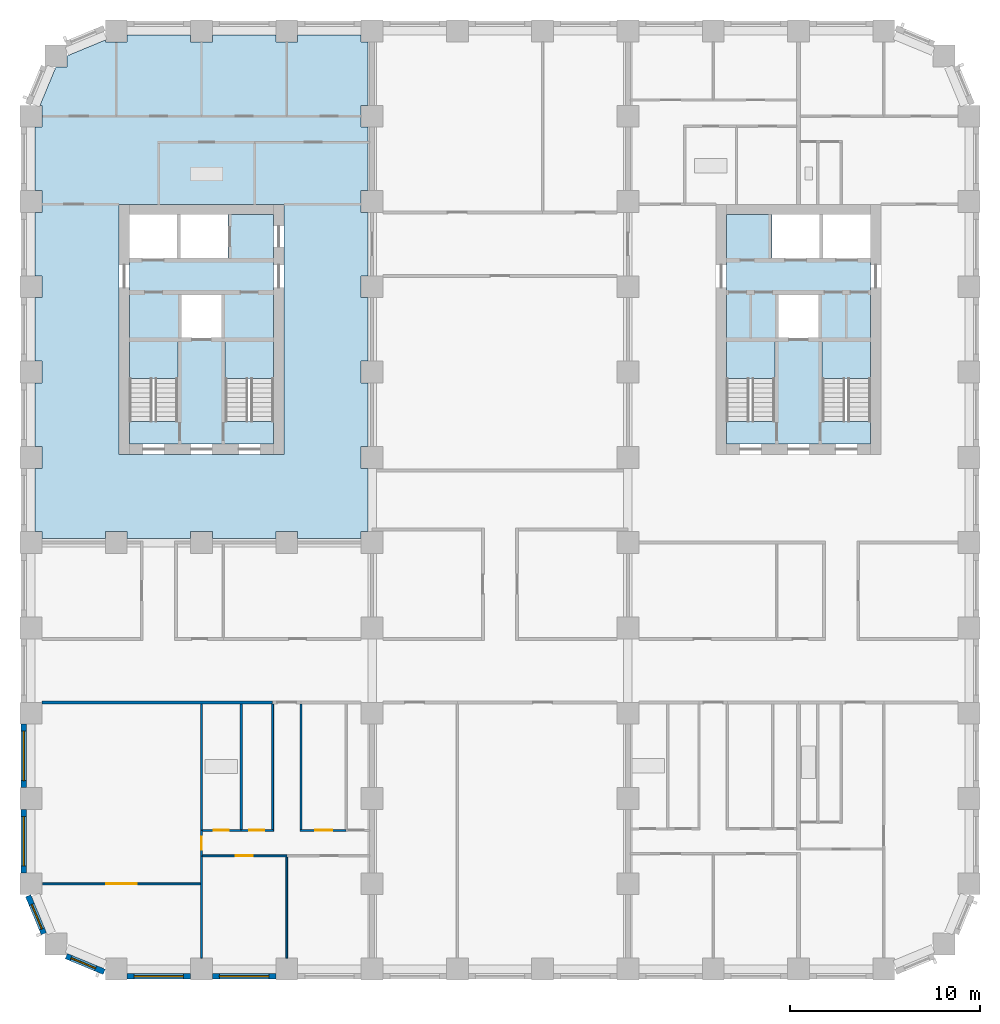
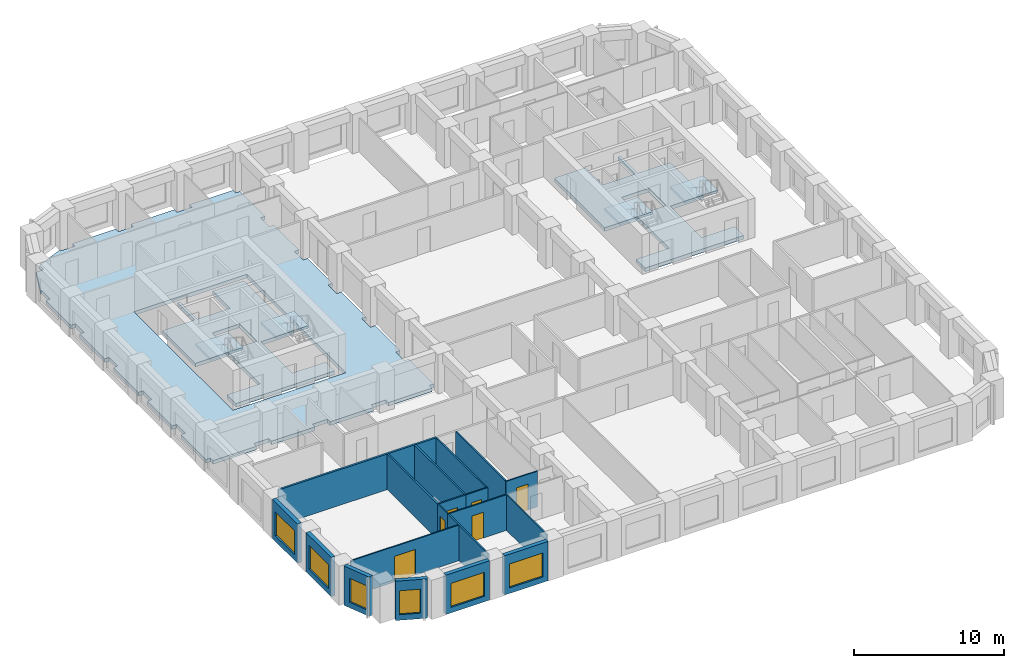
# One storey, part 2 of 12: 19 walls, 7 slabs, 6 doors, 6 windows, 12 openings, 4 elements without a shape of their own.
"""IFC4 building model written with IfcOpenShell, lengths in metres."""

import ifcopenshell
import ifcopenshell.guid

model = None  # the IFC model being written
_history = None  # IfcOwnerHistory: only IFC2X3 demands one
_inside = {}  # id of a spatial element -> (the spatial element, [elements in it])
_under = {}  # id of a project, library or spatial element -> (it, [spatial elements below it])
_declared = {}  # id of a project -> (the project, [libraries it declares])
_typed = {}  # id of a type object -> (the type object, [elements of that type])
_made_of = {}  # id of a material, layer set ... -> (it, [elements and type objects made of it])


def new_model(schema):
    """Start an empty IFC model of exactly this schema.

    Asked for "IFC4X3", IfcOpenShell would pick the latest addendum, in which some entities
    have other attributes; the version numbers below select the first issue.
    IFC2X3 requires an IfcOwnerHistory on every rooted entity: one is made here for all.
    """
    global model, _history
    if schema == "IFC4X3":
        model = ifcopenshell.file(schema_version=(4, 3, 0, 0))
    else:
        model = ifcopenshell.file(schema=schema)
    _inside.clear()
    _under.clear()
    _declared.clear()
    _typed.clear()
    _made_of.clear()
    _history = None
    if model.schema == "IFC2X3":
        org = make("IfcOrganization", Name="unknown")
        user = make(
            "IfcPersonAndOrganization",
            ThePerson=make("IfcPerson", FamilyName="unknown"),
            TheOrganization=org,
        )
        app = make(
            "IfcApplication",
            ApplicationDeveloper=org,
            Version="unknown",
            ApplicationFullName="unknown",
            ApplicationIdentifier="unknown",
        )
        _history = make(
            "IfcOwnerHistory",
            OwningUser=user,
            OwningApplication=app,
            ChangeAction="ADDED",
            CreationDate=0,
        )
    return model


def make(cls, **values):
    """One entity of the class cls with the attributes given. An attribute that is None is left unset."""
    return model.create_entity(
        cls, **{name: value for name, value in values.items() if value is not None}
    )


def rooted(cls, **values):
    """An entity with a GlobalId (a new one), such as an element, a storey or a relation."""
    return make(cls, GlobalId=ifcopenshell.guid.new(), OwnerHistory=_history, **values)


def si_unit(unit_type, name, prefix=None):
    """IfcSIUnit, for example si_unit("LENGTHUNIT", "METRE", prefix="MILLI")."""
    return make("IfcSIUnit", UnitType=unit_type, Prefix=prefix, Name=name)


def assignment(units):
    """IfcUnitAssignment: the units of a project."""
    return None if units is None else make("IfcUnitAssignment", Units=units)


def point(xyz):
    """IfcCartesianPoint."""
    return None if xyz is None else make("IfcCartesianPoint", Coordinates=xyz)


def direction(xyz):
    """IfcDirection."""
    return None if xyz is None else make("IfcDirection", DirectionRatios=xyz)


def frame(location, z_axis=None, x_axis=None):
    """IfcAxis2Placement3D, a coordinate frame: its origin and axes. An axis left out is left unset."""
    return make(
        "IfcAxis2Placement3D",
        Location=point(location),
        Axis=direction(z_axis),
        RefDirection=direction(x_axis),
    )


def frame_2d(location, x_axis=None):
    """IfcAxis2Placement2D, a coordinate frame in the plane: its origin and x axis."""
    return make(
        "IfcAxis2Placement2D", Location=point(location), RefDirection=direction(x_axis)
    )


def origin():
    """The frame at (0, 0, 0) with its axes left unset."""
    return frame((0.0, 0.0, 0.0))


def place(relative_to, where):
    """IfcLocalPlacement: puts the frame where relative to a parent placement (None: the world)."""
    return make(
        "IfcLocalPlacement", PlacementRelTo=relative_to, RelativePlacement=where
    )


def context(
    kind, dimensions, precision=None, world=None, true_north=None, identifier=None
):
    """IfcGeometricRepresentationContext, for example the 3D "Model" context."""
    return make(
        "IfcGeometricRepresentationContext",
        ContextIdentifier=identifier,
        ContextType=kind,
        CoordinateSpaceDimension=dimensions,
        Precision=precision,
        WorldCoordinateSystem=world,
        TrueNorth=true_north,
    )


def subcontext(parent, identifier, kind, view, scale=None):
    """IfcGeometricRepresentationSubContext, for example "Body" below "Model"."""
    return make(
        "IfcGeometricRepresentationSubContext",
        ContextIdentifier=identifier,
        ContextType=kind,
        ParentContext=parent,
        TargetScale=scale,
        TargetView=view,
    )


def project(units=None, contexts=None):
    """IfcProject with its units and contexts."""
    return rooted(
        "IfcProject",
        Name="project",
        RepresentationContexts=contexts,
        UnitsInContext=assignment(units),
    )


def spatial(cls, under=None, at=None, **own):
    """A site, building, storey or space (cls), placed at a placement, below another one or the project."""
    s = rooted(cls, ObjectPlacement=at, **own)
    if under is not None:
        _under.setdefault(under.id(), (under, []))[1].append(s)
    return s


def polyline(points):
    """IfcPolyline through the points."""
    return make("IfcPolyline", Points=[point(p) for p in points])


def profile(cls, at=None, kind="AREA", **sizes):
    """A parametric profile (cls). Its sizes go by their IFC names, for example OverallWidth=200.0."""
    return make(cls, ProfileType=kind, Position=at, **sizes)


def rectangle(**sizes):
    """IfcRectangleProfileDef."""
    return profile("IfcRectangleProfileDef", **sizes)


def outline(outer, holes=None, kind="AREA"):
    """IfcArbitraryClosedProfileDef: a profile drawn as a closed curve; with holes, ...WithVoids."""
    if holes is None:
        return make("IfcArbitraryClosedProfileDef", ProfileType=kind, OuterCurve=outer)
    return make(
        "IfcArbitraryProfileDefWithVoids",
        ProfileType=kind,
        OuterCurve=outer,
        InnerCurves=holes,
    )


def extrude(swept, where, along, depth):
    """IfcExtrudedAreaSolid: the profile swept, set in the frame where, extruded along a direction by depth."""
    return make(
        "IfcExtrudedAreaSolid",
        SweptArea=swept,
        Position=where,
        ExtrudedDirection=direction(along),
        Depth=depth,
    )


def shape(context_of_items, identifier, shape_type, items):
    """IfcShapeRepresentation: the items that make up one representation, for example the "Body"."""
    return make(
        "IfcShapeRepresentation",
        ContextOfItems=context_of_items,
        RepresentationIdentifier=identifier,
        RepresentationType=shape_type,
        Items=items,
    )


def material(Name=None, Category=None):
    """IfcMaterial."""
    return make("IfcMaterial", Name=Name, Category=Category)


def layer(
    of_material, thickness, ventilated=None, Name=None, Category=None, Priority=None
):
    """IfcMaterialLayer: one layer of a wall or slab, of a material (None: an air gap)."""
    return make(
        "IfcMaterialLayer",
        Material=of_material,
        LayerThickness=thickness,
        IsVentilated=ventilated,
        Name=Name,
        Category=Category,
        Priority=Priority,
    )


def layer_set(layers, Name=None):
    """IfcMaterialLayerSet."""
    return make("IfcMaterialLayerSet", MaterialLayers=layers, LayerSetName=Name)


def made_of(thing, what):
    """Note that an element or type object is made of a material, layer set ...; save() writes the relation."""
    if what is not None:
        _made_of.setdefault(what.id(), (what, []))[1].append(thing)
    return thing


def type_object(cls, material=None, **own):
    """A type object (cls), such as IfcWallType, which elements share."""
    return made_of(rooted(cls, **own), material)


def element(
    cls,
    number,
    at=None,
    inside=None,
    cuts=None,
    type_object=None,
    material=None,
    context=None,
    identifier="Body",
    shape_type=None,
    held_by="IfcProductDefinitionShape",
    body=None,
    shapes=None,
    **own,
):
    """One element of the class cls, such as IfcWall. Its Tag is "e" and its number.

    at: its placement. inside: the storey or other place that contains it. cuts: it is an
    opening in that element (IfcRelVoidsElement). A single representation is given by context,
    identifier, shape_type and body (its items); several are given by shapes. held_by: the class
    of the entity that holds the representations. save() writes the other relations.
    """
    e = rooted(cls, Tag="e%d" % number, ObjectPlacement=at, **own)
    if body is not None:
        shapes = [shape(context, identifier, shape_type, body)]
    if shapes is not None:
        e.Representation = make(held_by, Representations=shapes)
    if inside is not None:
        _inside.setdefault(inside.id(), (inside, []))[1].append(e)
    if cuts is not None:
        rooted(
            "IfcRelVoidsElement", RelatingBuildingElement=cuts, RelatedOpeningElement=e
        )
    if type_object is not None:
        _typed.setdefault(type_object.id(), (type_object, []))[1].append(e)
    return made_of(e, material)


def fill(opening, filler):
    """IfcRelFillsElement: the door or window that sits in an opening."""
    return rooted(
        "IfcRelFillsElement",
        RelatingOpeningElement=opening,
        RelatedBuildingElement=filler,
    )


def aggregate(whole, parts):
    """IfcRelAggregates: a whole, such as a stair, and the parts it consists of."""
    return rooted("IfcRelAggregates", RelatingObject=whole, RelatedObjects=parts)


def save(model, path):
    """Write the relations noted so far, then the file.

    IfcRelAggregates (storeys below a building ...), IfcRelContainedInSpatialStructure (elements
    in a storey), IfcRelDefinesByType, IfcRelAssociatesMaterial and IfcRelDeclares: one each for
    every whole, place, type object, material and project.
    """
    for whole, parts in _under.values():
        aggregate(whole, parts)
    for where, things in _inside.values():
        rooted(
            "IfcRelContainedInSpatialStructure",
            RelatedElements=things,
            RelatingStructure=where,
        )
    for kind, things in _typed.values():
        rooted("IfcRelDefinesByType", RelatedObjects=things, RelatingType=kind)
    for what, things in _made_of.values():
        rooted("IfcRelAssociatesMaterial", RelatedObjects=things, RelatingMaterial=what)
    for by, libraries in _declared.values():
        rooted("IfcRelDeclares", RelatingContext=by, RelatedDefinitions=libraries)
    model.write(path)


model = new_model("IFC4")

# Units and contexts
model_context = context("Model", 3, precision=1e-05, world=origin(), true_north=direction((0.0, 1.0)))
body_context = subcontext(model_context, "Body", "Model", "MODEL_VIEW")
ifc_project = project(units=[si_unit("LENGTHUNIT", "METRE"), si_unit("AREAUNIT", "SQUARE_METRE"), si_unit("VOLUMEUNIT", "CUBIC_METRE"), si_unit("PLANEANGLEUNIT", "RADIAN"), si_unit("MASSUNIT", "GRAM", prefix="KILO")], contexts=[model_context])

# Site, building, storey
site_placement = place(None, origin())
site = spatial("IfcSite", under=ifc_project, at=site_placement, CompositionType="ELEMENT")
building_placement = place(site_placement, origin())
building = spatial("IfcBuilding", under=site, at=building_placement, Name="Girih Gate Residences", CompositionType="ELEMENT")
storey_placement = place(building_placement, frame((0.0, 0.0, 115.199951171875)))
storey = spatial("IfcBuildingStorey", under=building, at=storey_placement, Name="L32", CompositionType="ELEMENT", Elevation=115.199951171875)

# Slabs
ifc_material_1 = material(Name="Concrete C40/50", Category="concrete")
ifc_layer_1 = layer(ifc_material_1, 0.300048828125)
ifc_layer_set_1 = layer_set([ifc_layer_1], Name="Core floor slab 300")
slab_type_1 = type_object("IfcSlabType", Name="Core floor slab 300", PredefinedType="FLOOR", material=ifc_layer_set_1)
slab_1_placement = place(storey_placement, frame((0.0, 0.0, -0.300048828125)))
element("IfcSlab", 1, at=slab_1_placement, inside=storey, type_object=slab_type_1, Name="L32 W core floor", PredefinedType="FLOOR", context=body_context, shape_type="SweptSolid", body=[
    extrude(outline(polyline([(12.800048828125, 27.699951171875), (5.199951171875, 27.699951171875), (5.199951171875, 28.900634765625), (7.75, 28.900634765625), (7.75, 33.10009765625), (5.199951171875, 33.10009765625), (5.199951171875, 37.5), (7.699951171875, 37.5), (7.699951171875, 39.800048828125), (7.89990234375, 39.800048828125), (7.89990234375, 37.5), (10.39990234375, 37.5), (10.39990234375, 39.800048828125), (12.800048828125, 39.800048828125), (12.800048828125, 33.10009765625), (10.25, 33.10009765625), (10.25, 28.900634765625), (12.800048828125, 28.900634765625), (12.800048828125, 27.699951171875)]), holes=[polyline([(7.949951171875, 33.300048828125), (10.050048828125, 33.300048828125), (10.050048828125, 35.60009765625), (7.949951171875, 35.60009765625), (7.949951171875, 33.300048828125)])]), origin(), (0.0, 0.0, 1.0), 0.300048828125),
])
slab_2_placement = place(storey_placement, frame((0.0, 0.0, -0.300048828125)))
element("IfcSlab", 2, at=slab_2_placement, inside=storey, type_object=slab_type_1, Name="L32 E core floor", PredefinedType="FLOOR", context=body_context, shape_type="SweptSolid", body=[
    extrude(outline(polyline([(44.300048828125, 27.699951171875), (36.699951171875, 27.699951171875), (36.699951171875, 28.900634765625), (39.25, 28.900634765625), (39.25, 33.10009765625), (36.699951171875, 33.10009765625), (36.699951171875, 39.800048828125), (39.10009765625, 39.800048828125), (39.10009765625, 37.5), (41.60009765625, 37.5), (41.60009765625, 39.800048828125), (41.800048828125, 39.800048828125), (41.800048828125, 37.5), (44.300048828125, 37.5), (44.300048828125, 33.10009765625), (41.75, 33.10009765625), (41.75, 28.900634765625), (44.300048828125, 28.900634765625), (44.300048828125, 27.699951171875)]), holes=[polyline([(39.449951171875, 33.300048828125), (41.550048828125, 33.300048828125), (41.550048828125, 35.60009765625), (39.449951171875, 35.60009765625), (39.449951171875, 33.300048828125)])]), origin(), (0.0, 0.0, 1.0), 0.300048828125),
])
ifc_layer_2 = layer(ifc_material_1, 0.300048828125)
ifc_layer_set_2 = layer_set([ifc_layer_2], Name="Floor slab PT 300 Concrete C40/50")
slab_type_2 = type_object("IfcSlabType", Name="Floor slab PT 300 Concrete C40/50", PredefinedType="FLOOR", material=ifc_layer_set_2)
slab_3_placement = place(storey_placement, frame((0.0, 0.0, -0.300048828125)))
element("IfcSlab", 3, at=slab_3_placement, inside=storey, type_object=slab_type_2, Name="Floor slab L32 3", PredefinedType="FLOOR", context=body_context, shape_type="SweptSolid", body=[
    extrude(outline(polyline([(0.22509765625, 26.425048828125), (0.22509765625, 23.074951171875), (0.574951171875, 23.074951171875), (0.574951171875, 22.72509765625), (3.925048828125, 22.72509765625), (3.925048828125, 23.074951171875), (5.074951171875, 23.074951171875), (5.074951171875, 22.72509765625), (8.425048828125, 22.72509765625), (8.425048828125, 23.074951171875), (9.574951171875, 23.074951171875), (9.574951171875, 22.72509765625), (12.925048828125, 22.72509765625), (12.925048828125, 23.074951171875), (14.074951171875, 23.074951171875), (14.074951171875, 22.72509765625), (17.425048828125, 22.72509765625), (17.425048828125, 23.074951171875), (17.77490234375, 23.074951171875), (17.77490234375, 26.425048828125), (17.425048828125, 26.425048828125), (17.425048828125, 27.574951171875), (17.77490234375, 27.574951171875), (17.77490234375, 30.925048828125), (17.425048828125, 30.925048828125), (17.425048828125, 32.074951171875), (17.77490234375, 32.074951171875), (17.77490234375, 35.425048828125), (17.425048828125, 35.425048828125), (17.425048828125, 36.574951171875), (17.77490234375, 36.574951171875), (17.77490234375, 39.925048828125), (17.425048828125, 39.925048828125), (17.425048828125, 41.074951171875), (17.77490234375, 41.074951171875), (17.77490234375, 44.425048828125), (17.425048828125, 44.425048828125), (17.425048828125, 45.574951171875), (17.77490234375, 45.574951171875), (17.77490234375, 48.925048828125), (17.425048828125, 48.925048828125), (17.425048828125, 49.27490234375), (14.074951171875, 49.27490234375), (14.074951171875, 48.925048828125), (12.925048828125, 48.925048828125), (12.925048828125, 49.27490234375), (9.574951171875, 49.27490234375), (9.574951171875, 48.925048828125), (8.425048828125, 48.925048828125), (8.425048828125, 49.27490234375), (5.074951171875, 49.27490234375), (5.074951171875, 48.925048828125), (3.925048828125, 48.925048828125), (3.925048828125, 49.018310546875), (1.89306640625, 48.176513671875), (1.89306640625, 47.60693359375), (1.323486328125, 47.60693359375), (0.481689453125, 45.574951171875), (0.574951171875, 45.574951171875), (0.574951171875, 44.425048828125), (0.22509765625, 44.425048828125), (0.22509765625, 41.074951171875), (0.574951171875, 41.074951171875), (0.574951171875, 39.925048828125), (0.22509765625, 39.925048828125), (0.22509765625, 36.574951171875), (0.574951171875, 36.574951171875), (0.574951171875, 35.425048828125), (0.22509765625, 35.425048828125), (0.22509765625, 32.074951171875), (0.574951171875, 32.074951171875), (0.574951171875, 30.925048828125), (0.22509765625, 30.925048828125), (0.22509765625, 27.574951171875), (0.574951171875, 27.574951171875), (0.574951171875, 26.425048828125), (0.22509765625, 26.425048828125)]), holes=[polyline([(13.35009765625, 40.35009765625), (13.35009765625, 27.14990234375), (4.64990234375, 27.14990234375), (4.64990234375, 40.35009765625), (13.35009765625, 40.35009765625)])]), origin(), (0.0, 0.0, 1.0), 0.300048828125),
])

# Stair, slab
stair_type = type_object("IfcStairType", Name="Exit stair", PredefinedType="HALF_TURN_STAIR", material=ifc_material_1)
stair_1_placement = place(storey_placement, origin())
stair_1 = element("IfcStair", 4, at=stair_1_placement, inside=storey, type_object=stair_type, Name="L32 Exit Stair ST-W1", PredefinedType="HALF_TURN_STAIR")
ifc_layer_3 = layer(ifc_material_1, 0.199951171875)
ifc_layer_set_3 = layer_set([ifc_layer_3], Name="Stair landing 200")
slab_type_3 = type_object("IfcSlabType", Name="Stair landing 200", PredefinedType="LANDING", material=ifc_layer_set_3)
slab_4_placement = place(storey_placement, frame((0.0, 0.0, 1.400146484375)))
slab_4 = element("IfcSlab", 5, at=slab_4_placement, type_object=slab_type_3, Name="ST-W1 landing 1", PredefinedType="LANDING", context=body_context, shape_type="SweptSolid", body=[
    extrude(outline(polyline([(7.75, 31.14990234375), (7.75, 33.10009765625), (5.199951171875, 33.10009765625), (5.199951171875, 31.14990234375), (7.75, 31.14990234375)])), origin(), (0.0, 0.0, 1.0), 0.199951171875),
])
aggregate(stair_1, [slab_4])

stair_2_placement = place(storey_placement, origin())
stair_2 = element("IfcStair", 6, at=stair_2_placement, inside=storey, type_object=stair_type, Name="L32 Exit Stair ST-W2", PredefinedType="HALF_TURN_STAIR")
slab_5_placement = place(storey_placement, frame((0.0, 0.0, 1.400146484375)))
slab_5 = element("IfcSlab", 7, at=slab_5_placement, type_object=slab_type_3, Name="ST-W2 landing 1", PredefinedType="LANDING", context=body_context, shape_type="SweptSolid", body=[
    extrude(outline(polyline([(12.800048828125, 31.14990234375), (12.800048828125, 33.10009765625), (10.25, 33.10009765625), (10.25, 31.14990234375), (12.800048828125, 31.14990234375)])), origin(), (0.0, 0.0, 1.0), 0.199951171875),
])
aggregate(stair_2, [slab_5])

stair_3_placement = place(storey_placement, origin())
stair_3 = element("IfcStair", 8, at=stair_3_placement, inside=storey, type_object=stair_type, Name="L32 Exit Stair ST-E1", PredefinedType="HALF_TURN_STAIR")
slab_6_placement = place(storey_placement, frame((0.0, 0.0, 1.400146484375)))
slab_6 = element("IfcSlab", 9, at=slab_6_placement, type_object=slab_type_3, Name="ST-E1 landing 1", PredefinedType="LANDING", context=body_context, shape_type="SweptSolid", body=[
    extrude(outline(polyline([(44.300048828125, 31.14990234375), (44.300048828125, 33.10009765625), (41.75, 33.10009765625), (41.75, 31.14990234375), (44.300048828125, 31.14990234375)])), origin(), (0.0, 0.0, 1.0), 0.199951171875),
])
aggregate(stair_3, [slab_6])

stair_4_placement = place(storey_placement, origin())
stair_4 = element("IfcStair", 10, at=stair_4_placement, inside=storey, type_object=stair_type, Name="L32 Exit Stair ST-E2", PredefinedType="HALF_TURN_STAIR")
slab_7_placement = place(storey_placement, frame((0.0, 0.0, 1.400146484375)))
slab_7 = element("IfcSlab", 11, at=slab_7_placement, type_object=slab_type_3, Name="ST-E2 landing 1", PredefinedType="LANDING", context=body_context, shape_type="SweptSolid", body=[
    extrude(outline(polyline([(39.25, 31.14990234375), (39.25, 33.10009765625), (36.699951171875, 33.10009765625), (36.699951171875, 31.14990234375), (39.25, 31.14990234375)])), origin(), (0.0, 0.0, 1.0), 0.199951171875),
])
aggregate(stair_4, [slab_7])

# Walls
ifc_material_2 = material(Name="Gypsum board on steel studs", Category="steel")
ifc_layer_4 = layer(ifc_material_2, 0.14990234375)
ifc_layer_set_4 = layer_set([ifc_layer_4], Name="Compartment wall 150 mm")
wall_type_1 = type_object("IfcWallType", Name="Compartment wall 150 mm", PredefinedType="PARTITIONING", material=ifc_layer_set_4)
wall_1_placement = place(storey_placement, frame((0.574951171875, 14.074951171875, 0.0), z_axis=(0.0, 0.0, 1.0), x_axis=(1.0, 0.0, 0.0)))
element("IfcWall", 12, at=wall_1_placement, inside=storey, type_object=wall_type_1, Name="L32 partition", PredefinedType="PARTITIONING", context=body_context, shape_type="SweptSolid", body=[
    extrude(rectangle(XDim=12.175048828125, YDim=0.14990234375, at=frame_2d((6.08740234375, 0.0))), origin(), (0.0, 0.0, 1.0), 2.900146484375),
])
ifc_layer_5 = layer(ifc_material_2, 0.10009765625)
ifc_layer_set_5 = layer_set([ifc_layer_5], Name="Partition 100 mm")
wall_type_2 = type_object("IfcWallType", Name="Partition 100 mm", PredefinedType="PARTITIONING", material=ifc_layer_set_5)
wall_2_placement = place(storey_placement, frame((13.5, 0.574951171875, 0.0), z_axis=(0.0, 0.0, 1.0), x_axis=(0.0, 1.0, 0.0)))
element("IfcWall", 13, at=wall_2_placement, inside=storey, type_object=wall_type_2, Name="L32 partition", PredefinedType="PARTITIONING", context=body_context, shape_type="SweptSolid", body=[
    extrude(rectangle(XDim=5.35009765625, YDim=0.10009765625, at=frame_2d((2.675048828125, 0.0))), origin(), (0.0, 0.0, 1.0), 2.900146484375),
])

# Wall, opening, door
wall_3_placement = place(storey_placement, frame((13.5, 5.97509765625, 0.0), z_axis=(0.0, 0.0, 1.0), x_axis=(-1.0, 0.0, 0.0)))
wall_3 = element("IfcWall", 14, at=wall_3_placement, inside=storey, type_object=wall_type_2, Name="L32 partition", PredefinedType="PARTITIONING", context=body_context, shape_type="SweptSolid", body=[
    extrude(rectangle(XDim=4.449951171875, YDim=0.10009765625, at=frame_2d((2.22509765625, 0.0))), origin(), (0.0, 0.0, 1.0), 2.900146484375),
])
opening_1_placement = place(wall_3_placement, frame((1.800048828125, 0.0, 0.0)))
opening_1 = element("IfcOpeningElement", 15, at=opening_1_placement, cuts=wall_3, Name="Opening A32-002", PredefinedType="OPENING", context=body_context, shape_type="SweptSolid", body=[
    extrude(rectangle(XDim=0.89990234375, YDim=2.10009765625, at=frame_2d((0.449951171875, 1.050048828125))), frame((0.0, 0.06005859375, 0.0), z_axis=(0.0, -1.0, 0.0), x_axis=(1.0, 0.0, 0.0)), (0.0, 0.0, 1.0), 0.1201171875),
])
ifc_material_3 = material(Name="Timber", Category="wood")
door_type_1 = type_object("IfcDoorType", Name="Bedroom door 900x2100", OperationType="NOTDEFINED", PredefinedType="DOOR", material=ifc_material_3)
door_1_placement = place(opening_1_placement, origin())
door_1 = element("IfcDoor", 16, at=door_1_placement, inside=storey, type_object=door_type_1, Name="Door A32-002", OperationType="SINGLE_SWING_RIGHT", OverallHeight=2.10009765625, OverallWidth=0.89990234375, PredefinedType="DOOR", context=body_context, shape_type="SweptSolid", body=[
    extrude(rectangle(XDim=0.89990234375, YDim=2.10009765625, at=frame_2d((0.449951171875, 1.050048828125))), frame((0.0, 0.02490234375, 0.0), z_axis=(0.0, -1.0, 0.0), x_axis=(1.0, 0.0, 0.0)), (0.0, 0.0, 1.0), 0.050048828125),
])
fill(opening_1, door_1)

# Wall
wall_4_placement = place(storey_placement, frame((9.0, 0.574951171875, 0.0), z_axis=(0.0, 0.0, 1.0), x_axis=(0.0, 1.0, 0.0)))
element("IfcWall", 17, at=wall_4_placement, inside=storey, type_object=wall_type_2, Name="L32 partition", PredefinedType="PARTITIONING", context=body_context, shape_type="SweptSolid", body=[
    extrude(rectangle(XDim=5.400146484375, YDim=0.10009765625, at=frame_2d((2.7001953125, 0.0))), origin(), (0.0, 0.0, 1.0), 2.900146484375),
])

# Wall, opening, door
wall_5_placement = place(storey_placement, frame((9.0, 5.97509765625, 0.0), z_axis=(0.0, 0.0, 1.0), x_axis=(0.0, 1.0, 0.0)))
wall_5 = element("IfcWall", 18, at=wall_5_placement, inside=storey, type_object=wall_type_2, Name="L32 partition", PredefinedType="PARTITIONING", context=body_context, shape_type="SweptSolid", body=[
    extrude(rectangle(XDim=1.33984375, YDim=0.10009765625, at=frame_2d((0.669921875, 0.0))), origin(), (0.0, 0.0, 1.0), 2.900146484375),
])
opening_2_placement = place(wall_5_placement, frame((0.31005859375, 0.0, 0.0)))
opening_2 = element("IfcOpeningElement", 19, at=opening_2_placement, cuts=wall_5, Name="Opening A32-004", PredefinedType="OPENING", context=body_context, shape_type="SweptSolid", body=[
    extrude(rectangle(XDim=0.699951171875, YDim=2.10009765625, at=frame_2d((0.35009765625, 1.050048828125))), frame((0.0, 0.06005859375, 0.0), z_axis=(0.0, -1.0, 0.0), x_axis=(1.0, 0.0, 0.0)), (0.0, 0.0, 1.0), 0.1201171875),
])
door_type_2 = type_object("IfcDoorType", Name="Narrow door 700x2100", OperationType="NOTDEFINED", PredefinedType="DOOR", material=ifc_material_3)
door_2_placement = place(opening_2_placement, origin())
door_2 = element("IfcDoor", 20, at=door_2_placement, inside=storey, type_object=door_type_2, Name="Door A32-004", OperationType="SINGLE_SWING_LEFT", OverallHeight=2.10009765625, OverallWidth=0.699951171875, PredefinedType="DOOR", context=body_context, shape_type="SweptSolid", body=[
    extrude(rectangle(XDim=0.699951171875, YDim=2.10009765625, at=frame_2d((0.35009765625, 1.050048828125))), frame((0.0, 0.02490234375, 0.0), z_axis=(0.0, -1.0, 0.0), x_axis=(1.0, 0.0, 0.0)), (0.0, 0.0, 1.0), 0.050048828125),
])
fill(opening_2, door_2)

wall_6_placement = place(storey_placement, frame((0.622314453125, 4.5, 0.0), z_axis=(0.0, 0.0, 1.0), x_axis=(1.0, 0.0, 0.0)))
wall_6 = element("IfcWall", 21, at=wall_6_placement, inside=storey, type_object=wall_type_2, Name="L32 partition", PredefinedType="PARTITIONING", context=body_context, shape_type="SweptSolid", body=[
    extrude(rectangle(XDim=8.32763671875, YDim=0.10009765625, at=frame_2d((4.163818359375, 0.0))), origin(), (0.0, 0.0, 1.0), 2.900146484375),
])
opening_3_placement = place(wall_6_placement, frame((3.364990234375, 0.0, 0.0)))
opening_3 = element("IfcOpeningElement", 22, at=opening_3_placement, cuts=wall_6, Name="Opening A32-005", PredefinedType="OPENING", context=body_context, shape_type="SweptSolid", body=[
    extrude(rectangle(XDim=1.60009765625, YDim=2.10009765625, at=frame_2d((0.800048828125, 1.050048828125))), frame((0.0, 0.06005859375, 0.0), z_axis=(0.0, -1.0, 0.0), x_axis=(1.0, 0.0, 0.0)), (0.0, 0.0, 1.0), 0.1201171875),
])
door_type_3 = type_object("IfcDoorType", Name="Double leaf door 1600x2100", OperationType="NOTDEFINED", PredefinedType="DOOR", material=ifc_material_3)
door_3_placement = place(opening_3_placement, origin())
door_3 = element("IfcDoor", 23, at=door_3_placement, inside=storey, type_object=door_type_3, Name="Door A32-005", OperationType="SINGLE_SWING_RIGHT", OverallHeight=2.10009765625, OverallWidth=1.60009765625, PredefinedType="DOOR", context=body_context, shape_type="SweptSolid", body=[
    extrude(rectangle(XDim=1.60009765625, YDim=2.10009765625, at=frame_2d((0.800048828125, 1.050048828125))), frame((0.0, 0.02490234375, 0.0), z_axis=(0.0, -1.0, 0.0), x_axis=(1.0, 0.0, 0.0)), (0.0, 0.0, 1.0), 0.050048828125),
])
fill(opening_3, door_3)

# Wall
wall_7_placement = place(storey_placement, frame((14.25, 7.364990234375, 0.0), z_axis=(0.0, 0.0, 1.0), x_axis=(0.0, 1.0, 0.0)))
element("IfcWall", 24, at=wall_7_placement, inside=storey, type_object=wall_type_2, Name="L32 partition", PredefinedType="PARTITIONING", context=body_context, shape_type="SweptSolid", body=[
    extrude(rectangle(XDim=6.635009765625, YDim=0.10009765625, at=frame_2d((3.3173828125, 0.0))), origin(), (0.0, 0.0, 1.0), 2.900146484375),
])

# Wall, opening, door
wall_8_placement = place(storey_placement, frame((14.199951171875, 7.31494140625, 0.0), z_axis=(0.0, 0.0, 1.0), x_axis=(1.0, 0.0, 0.0)))
wall_8 = element("IfcWall", 25, at=wall_8_placement, inside=storey, type_object=wall_type_2, Name="L32 partition", PredefinedType="PARTITIONING", context=body_context, shape_type="SweptSolid", body=[
    extrude(rectangle(XDim=2.43505859375, YDim=0.10009765625, at=frame_2d((1.217529296875, 0.0))), origin(), (0.0, 0.0, 1.0), 2.900146484375),
])
opening_4_placement = place(wall_8_placement, frame((0.79248046875, 0.0, 0.0)))
opening_4 = element("IfcOpeningElement", 26, at=opening_4_placement, cuts=wall_8, Name="Opening A32-006", PredefinedType="OPENING", context=body_context, shape_type="SweptSolid", body=[
    extrude(rectangle(XDim=0.89990234375, YDim=2.10009765625, at=frame_2d((0.449951171875, 1.050048828125))), frame((0.0, 0.06005859375, 0.0), z_axis=(0.0, -1.0, 0.0), x_axis=(1.0, 0.0, 0.0)), (0.0, 0.0, 1.0), 0.1201171875),
])
door_type_4 = type_object("IfcDoorType", Name="Kitchen door 900x2100", OperationType="NOTDEFINED", PredefinedType="DOOR", material=ifc_material_3)
door_4_placement = place(opening_4_placement, origin())
door_4 = element("IfcDoor", 27, at=door_4_placement, inside=storey, type_object=door_type_4, Name="Door A32-006", OperationType="SINGLE_SWING_RIGHT", OverallHeight=2.10009765625, OverallWidth=0.89990234375, PredefinedType="DOOR", context=body_context, shape_type="SweptSolid", body=[
    extrude(rectangle(XDim=0.89990234375, YDim=2.10009765625, at=frame_2d((0.449951171875, 1.050048828125))), frame((0.0, 0.02490234375, 0.0), z_axis=(0.0, -1.0, 0.0), x_axis=(1.0, 0.0, 0.0)), (0.0, 0.0, 1.0), 0.050048828125),
])
fill(opening_4, door_4)

wall_9_placement = place(storey_placement, frame((11.09521484375, 7.31494140625, 0.0), z_axis=(0.0, 0.0, 1.0), x_axis=(1.0, 0.0, 0.0)))
wall_9 = element("IfcWall", 28, at=wall_9_placement, inside=storey, type_object=wall_type_2, Name="L32 partition", PredefinedType="PARTITIONING", context=body_context, shape_type="SweptSolid", body=[
    extrude(rectangle(XDim=1.704833984375, YDim=0.10009765625, at=frame_2d((0.8525390625, 0.0))), origin(), (0.0, 0.0, 1.0), 2.900146484375),
])
opening_5_placement = place(wall_9_placement, frame((0.427490234375, 0.0, 0.0)))
opening_5 = element("IfcOpeningElement", 29, at=opening_5_placement, cuts=wall_9, Name="Opening A32-008", PredefinedType="OPENING", context=body_context, shape_type="SweptSolid", body=[
    extrude(rectangle(XDim=0.800048828125, YDim=2.10009765625, at=frame_2d((0.39990234375, 1.050048828125))), frame((0.0, 0.06005859375, 0.0), z_axis=(0.0, -1.0, 0.0), x_axis=(1.0, 0.0, 0.0)), (0.0, 0.0, 1.0), 0.1201171875),
])
door_type_5 = type_object("IfcDoorType", Name="Store door 800x2100", OperationType="NOTDEFINED", PredefinedType="DOOR", material=ifc_material_3)
door_5_placement = place(opening_5_placement, origin())
door_5 = element("IfcDoor", 30, at=door_5_placement, inside=storey, type_object=door_type_5, Name="Door A32-008", OperationType="SINGLE_SWING_LEFT", OverallHeight=2.10009765625, OverallWidth=0.800048828125, PredefinedType="DOOR", context=body_context, shape_type="SweptSolid", body=[
    extrude(rectangle(XDim=0.800048828125, YDim=2.10009765625, at=frame_2d((0.39990234375, 1.050048828125))), frame((0.0, 0.02490234375, 0.0), z_axis=(0.0, -1.0, 0.0), x_axis=(1.0, 0.0, 0.0)), (0.0, 0.0, 1.0), 0.050048828125),
])
fill(opening_5, door_5)

# Wall
wall_10_placement = place(storey_placement, frame((12.75, 7.364990234375, 0.0), z_axis=(0.0, 0.0, 1.0), x_axis=(0.0, 1.0, 0.0)))
element("IfcWall", 31, at=wall_10_placement, inside=storey, type_object=wall_type_2, Name="L32 partition", PredefinedType="PARTITIONING", context=body_context, shape_type="SweptSolid", body=[
    extrude(rectangle(XDim=6.635009765625, YDim=0.10009765625, at=frame_2d((3.3173828125, 0.0))), origin(), (0.0, 0.0, 1.0), 2.900146484375),
])

# Wall, opening, window
ifc_material_4 = material(Name="Precast concrete C50/60", Category="concrete")
ifc_layer_6 = layer(ifc_material_4, 0.080078125, Name="Outer leaf")
ifc_material_5 = material(Name="Rigid PIR insulation")
ifc_layer_7 = layer(ifc_material_5, 0.14990234375, Name="Insulation")
ifc_material_6 = material(Name="Precast concrete C40/50", Category="concrete")
ifc_layer_8 = layer(ifc_material_6, 0.070068359375, Name="Inner leaf")
ifc_layer_set_6 = layer_set([ifc_layer_6, ifc_layer_7, ifc_layer_8], Name="Precast concrete C50/60 external wall 300")
wall_type_3 = type_object("IfcWallType", Name="Precast concrete C50/60 external wall 300", PredefinedType="SOLIDWALL", material=ifc_layer_set_6)
wall_11_placement = place(storey_placement, frame((0.68408203125, 1.86865234375, 0.0), z_axis=(0.0, 0.0, 1.0), x_axis=(-0.382723818695, 0.923862802911, 0.0)))
wall_11 = element("IfcWall", 32, at=wall_11_placement, inside=storey, type_object=wall_type_3, Name="External wall SW0000_0045.0", PredefinedType="SOLIDWALL", context=body_context, shape_type="SweptSolid", body=[
    extrude(rectangle(XDim=2.163818359375, YDim=0.300048828125, at=frame_2d((1.08203125, 0.0))), origin(), (0.0, 0.0, 1.0), 3.199951171875),
])
opening_6_placement = place(wall_11_placement, frame((0.270751953125, 0.0, 0.449951171875)))
opening_6 = element("IfcOpeningElement", 33, at=opening_6_placement, cuts=wall_11, Name="Opening W-2D", PredefinedType="OPENING", context=body_context, shape_type="SweptSolid", body=[
    extrude(rectangle(XDim=1.39990234375, YDim=1.949951171875, at=frame_2d((0.699951171875, 0.97509765625))), frame((0.0, 0.159912109375, 0.0), z_axis=(0.0, -1.0, 0.0), x_axis=(1.0, 0.0, 0.0)), (0.0, 0.0, 1.0), 0.320068359375),
])
ifc_material_7 = material(Name="Double glazing in aluminium frame", Category="aluminium")
window_type_1 = type_object("IfcWindowType", Name="Window W-2D 1400x1950", PartitioningType="SINGLE_PANEL", PredefinedType="WINDOW", material=ifc_material_7)
window_1_placement = place(opening_6_placement, origin())
window_1 = element("IfcWindow", 34, at=window_1_placement, inside=storey, type_object=window_type_1, Name="Window W-2D SW0000_0045.0", OverallHeight=1.949951171875, OverallWidth=1.39990234375, PartitioningType="SINGLE_PANEL", PredefinedType="WINDOW", context=body_context, shape_type="SweptSolid", body=[
    extrude(rectangle(XDim=1.39990234375, YDim=1.949951171875, at=frame_2d((0.699951171875, 0.97509765625))), frame((0.0, 0.030029296875, 0.0), z_axis=(0.0, -1.0, 0.0), x_axis=(1.0, 0.0, 0.0)), (0.0, 0.0, 1.0), 0.06005859375),
])
fill(opening_6, window_1)

wall_12_placement = place(storey_placement, frame((3.86767578125, -0.14404296875, 0.0), z_axis=(0.0, 0.0, 1.0), x_axis=(-0.923862802911, 0.382723818695, 0.0)))
wall_12 = element("IfcWall", 35, at=wall_12_placement, inside=storey, type_object=wall_type_3, Name="External wall SW0013_0013.0", PredefinedType="SOLIDWALL", context=body_context, shape_type="SweptSolid", body=[
    extrude(rectangle(XDim=2.163818359375, YDim=0.300048828125, at=frame_2d((1.08203125, 0.0))), origin(), (0.0, 0.0, 1.0), 3.199951171875),
])
opening_7_placement = place(wall_12_placement, frame((0.492919921875, 0.0, 0.449951171875)))
opening_7 = element("IfcOpeningElement", 36, at=opening_7_placement, cuts=wall_12, Name="Opening W-2D", PredefinedType="OPENING", context=body_context, shape_type="SweptSolid", body=[
    extrude(rectangle(XDim=1.39990234375, YDim=1.949951171875, at=frame_2d((0.699951171875, 0.97509765625))), frame((0.0, 0.159912109375, 0.0), z_axis=(0.0, -1.0, 0.0), x_axis=(1.0, 0.0, 0.0)), (0.0, 0.0, 1.0), 0.320068359375),
])
window_2_placement = place(opening_7_placement, origin())
window_2 = element("IfcWindow", 37, at=window_2_placement, inside=storey, type_object=window_type_1, Name="Window W-2D SW0013_0013.0", OverallHeight=1.949951171875, OverallWidth=1.39990234375, PartitioningType="SINGLE_PANEL", PredefinedType="WINDOW", context=body_context, shape_type="SweptSolid", body=[
    extrude(rectangle(XDim=1.39990234375, YDim=1.949951171875, at=frame_2d((0.699951171875, 0.97509765625))), frame((0.0, 0.030029296875, 0.0), z_axis=(0.0, -1.0, 0.0), x_axis=(1.0, 0.0, 0.0)), (0.0, 0.0, 1.0), 0.06005859375),
])
fill(opening_7, window_2)

wall_13_placement = place(storey_placement, frame((8.425048828125, -0.375, 0.0), z_axis=(0.0, 0.0, 1.0), x_axis=(-1.0, 0.0, 0.0)))
wall_13 = element("IfcWall", 38, at=wall_13_placement, inside=storey, type_object=wall_type_3, Name="External wall S0045_0000.0", PredefinedType="SOLIDWALL", context=body_context, shape_type="SweptSolid", body=[
    extrude(rectangle(XDim=3.35009765625, YDim=0.300048828125, at=frame_2d((1.675048828125, 0.0))), origin(), (0.0, 0.0, 1.0), 3.199951171875),
])
opening_8_placement = place(wall_13_placement, frame((0.375, 0.0, 0.449951171875)))
opening_8 = element("IfcOpeningElement", 39, at=opening_8_placement, cuts=wall_13, Name="Opening W-1A", PredefinedType="OPENING", context=body_context, shape_type="SweptSolid", body=[
    extrude(rectangle(XDim=2.60009765625, YDim=1.949951171875, at=frame_2d((1.300048828125, 0.97509765625))), frame((0.0, 0.159912109375, 0.0), z_axis=(0.0, -1.0, 0.0), x_axis=(1.0, 0.0, 0.0)), (0.0, 0.0, 1.0), 0.320068359375),
])
window_type_2 = type_object("IfcWindowType", Name="Window W-1A 2600x1950", PartitioningType="SINGLE_PANEL", PredefinedType="WINDOW", material=ifc_material_7)
window_3_placement = place(opening_8_placement, origin())
window_3 = element("IfcWindow", 40, at=window_3_placement, inside=storey, type_object=window_type_2, Name="Window W-1A S0045_0000.0", OverallHeight=1.949951171875, OverallWidth=2.60009765625, PartitioningType="SINGLE_PANEL", PredefinedType="WINDOW", context=body_context, shape_type="SweptSolid", body=[
    extrude(rectangle(XDim=2.60009765625, YDim=1.949951171875, at=frame_2d((1.300048828125, 0.97509765625))), frame((0.0, 0.030029296875, 0.0), z_axis=(0.0, -1.0, 0.0), x_axis=(1.0, 0.0, 0.0)), (0.0, 0.0, 1.0), 0.06005859375),
])
fill(opening_8, window_3)

wall_14_placement = place(storey_placement, frame((12.925048828125, -0.375, 0.0), z_axis=(0.0, 0.0, 1.0), x_axis=(-1.0, 0.0, 0.0)))
wall_14 = element("IfcWall", 41, at=wall_14_placement, inside=storey, type_object=wall_type_3, Name="External wall S0045_0000.1", PredefinedType="SOLIDWALL", context=body_context, shape_type="SweptSolid", body=[
    extrude(rectangle(XDim=3.35009765625, YDim=0.300048828125, at=frame_2d((1.675048828125, 0.0))), origin(), (0.0, 0.0, 1.0), 3.199951171875),
])
opening_9_placement = place(wall_14_placement, frame((0.375, 0.0, 0.449951171875)))
opening_9 = element("IfcOpeningElement", 42, at=opening_9_placement, cuts=wall_14, Name="Opening W-1A", PredefinedType="OPENING", context=body_context, shape_type="SweptSolid", body=[
    extrude(rectangle(XDim=2.60009765625, YDim=1.949951171875, at=frame_2d((1.300048828125, 0.97509765625))), frame((0.0, 0.159912109375, 0.0), z_axis=(0.0, -1.0, 0.0), x_axis=(1.0, 0.0, 0.0)), (0.0, 0.0, 1.0), 0.320068359375),
])
window_4_placement = place(opening_9_placement, origin())
window_4 = element("IfcWindow", 43, at=window_4_placement, inside=storey, type_object=window_type_2, Name="Window W-1A S0045_0000.1", OverallHeight=1.949951171875, OverallWidth=2.60009765625, PartitioningType="SINGLE_PANEL", PredefinedType="WINDOW", context=body_context, shape_type="SweptSolid", body=[
    extrude(rectangle(XDim=2.60009765625, YDim=1.949951171875, at=frame_2d((1.300048828125, 0.97509765625))), frame((0.0, 0.030029296875, 0.0), z_axis=(0.0, -1.0, 0.0), x_axis=(1.0, 0.0, 0.0)), (0.0, 0.0, 1.0), 0.06005859375),
])
fill(opening_9, window_4)

wall_15_placement = place(storey_placement, frame((-0.375, 9.574951171875, 0.0), z_axis=(0.0, 0.0, 1.0), x_axis=(0.0, 1.0, 0.0)))
wall_15 = element("IfcWall", 44, at=wall_15_placement, inside=storey, type_object=wall_type_3, Name="External wall W0000_0450.7", PredefinedType="SOLIDWALL", context=body_context, shape_type="SweptSolid", body=[
    extrude(rectangle(XDim=3.35009765625, YDim=0.300048828125, at=frame_2d((1.675048828125, 0.0))), origin(), (0.0, 0.0, 1.0), 3.199951171875),
])
opening_10_placement = place(wall_15_placement, frame((0.375, 0.0, 0.449951171875)))
opening_10 = element("IfcOpeningElement", 45, at=opening_10_placement, cuts=wall_15, Name="Opening W-1A", PredefinedType="OPENING", context=body_context, shape_type="SweptSolid", body=[
    extrude(rectangle(XDim=2.60009765625, YDim=1.949951171875, at=frame_2d((1.300048828125, 0.97509765625))), frame((0.0, 0.159912109375, 0.0), z_axis=(0.0, -1.0, 0.0), x_axis=(1.0, 0.0, 0.0)), (0.0, 0.0, 1.0), 0.320068359375),
])
window_5_placement = place(opening_10_placement, origin())
window_5 = element("IfcWindow", 46, at=window_5_placement, inside=storey, type_object=window_type_2, Name="Window W-1A W0000_0450.7", OverallHeight=1.949951171875, OverallWidth=2.60009765625, PartitioningType="SINGLE_PANEL", PredefinedType="WINDOW", context=body_context, shape_type="SweptSolid", body=[
    extrude(rectangle(XDim=2.60009765625, YDim=1.949951171875, at=frame_2d((1.300048828125, 0.97509765625))), frame((0.0, 0.030029296875, 0.0), z_axis=(0.0, -1.0, 0.0), x_axis=(1.0, 0.0, 0.0)), (0.0, 0.0, 1.0), 0.06005859375),
])
fill(opening_10, window_5)

wall_16_placement = place(storey_placement, frame((-0.375, 5.074951171875, 0.0), z_axis=(0.0, 0.0, 1.0), x_axis=(0.0, 1.0, 0.0)))
wall_16 = element("IfcWall", 47, at=wall_16_placement, inside=storey, type_object=wall_type_3, Name="External wall W0000_0450.8", PredefinedType="SOLIDWALL", context=body_context, shape_type="SweptSolid", body=[
    extrude(rectangle(XDim=3.35009765625, YDim=0.300048828125, at=frame_2d((1.675048828125, 0.0))), origin(), (0.0, 0.0, 1.0), 3.199951171875),
])
opening_11_placement = place(wall_16_placement, frame((0.375, 0.0, 0.449951171875)))
opening_11 = element("IfcOpeningElement", 48, at=opening_11_placement, cuts=wall_16, Name="Opening W-1A", PredefinedType="OPENING", context=body_context, shape_type="SweptSolid", body=[
    extrude(rectangle(XDim=2.60009765625, YDim=1.949951171875, at=frame_2d((1.300048828125, 0.97509765625))), frame((0.0, 0.159912109375, 0.0), z_axis=(0.0, -1.0, 0.0), x_axis=(1.0, 0.0, 0.0)), (0.0, 0.0, 1.0), 0.320068359375),
])
window_6_placement = place(opening_11_placement, origin())
window_6 = element("IfcWindow", 49, at=window_6_placement, inside=storey, type_object=window_type_2, Name="Window W-1A W0000_0450.8", OverallHeight=1.949951171875, OverallWidth=2.60009765625, PartitioningType="SINGLE_PANEL", PredefinedType="WINDOW", context=body_context, shape_type="SweptSolid", body=[
    extrude(rectangle(XDim=2.60009765625, YDim=1.949951171875, at=frame_2d((1.300048828125, 0.97509765625))), frame((0.0, 0.030029296875, 0.0), z_axis=(0.0, -1.0, 0.0), x_axis=(1.0, 0.0, 0.0)), (0.0, 0.0, 1.0), 0.06005859375),
])
fill(opening_11, window_6)

# Wall
ifc_layer_9 = layer(ifc_material_2, 0.125)
ifc_layer_set_7 = layer_set([ifc_layer_9], Name="Wet room wall 125 mm")
wall_type_4 = type_object("IfcWallType", Name="Wet room wall 125 mm", PredefinedType="PARTITIONING", material=ifc_layer_set_7)
wall_17_placement = place(storey_placement, frame((9.0, 7.31494140625, 0.0), z_axis=(0.0, 0.0, 1.0), x_axis=(0.0, 1.0, 0.0)))
element("IfcWall", 50, at=wall_17_placement, inside=storey, type_object=wall_type_4, Name="L32 partition", PredefinedType="PARTITIONING", context=body_context, shape_type="SweptSolid", body=[
    extrude(rectangle(XDim=6.68505859375, YDim=0.125, at=frame_2d((3.342529296875, 0.0))), origin(), (0.0, 0.0, 1.0), 2.900146484375),
])

# Wall, opening, door
wall_18_placement = place(storey_placement, frame((9.0625, 7.31494140625, 0.0), z_axis=(0.0, 0.0, 1.0), x_axis=(1.0, 0.0, 0.0)))
wall_18 = element("IfcWall", 51, at=wall_18_placement, inside=storey, type_object=wall_type_4, Name="L32 partition", PredefinedType="PARTITIONING", context=body_context, shape_type="SweptSolid", body=[
    extrude(rectangle(XDim=2.03271484375, YDim=0.125, at=frame_2d((1.016357421875, 0.0))), origin(), (0.0, 0.0, 1.0), 2.900146484375),
])
opening_12_placement = place(wall_18_placement, frame((0.585205078125, 0.0, 0.0)))
opening_12 = element("IfcOpeningElement", 52, at=opening_12_placement, cuts=wall_18, Name="Opening A32-001", PredefinedType="OPENING", context=body_context, shape_type="SweptSolid", body=[
    extrude(rectangle(XDim=0.800048828125, YDim=2.10009765625, at=frame_2d((0.39990234375, 1.050048828125))), frame((0.0, 0.072509765625, 0.0), z_axis=(0.0, -1.0, 0.0), x_axis=(1.0, 0.0, 0.0)), (0.0, 0.0, 1.0), 0.14501953125),
])
door_type_6 = type_object("IfcDoorType", Name="Bathroom door 800x2100", OperationType="NOTDEFINED", PredefinedType="DOOR", material=ifc_material_3)
door_6_placement = place(opening_12_placement, origin())
door_6 = element("IfcDoor", 53, at=door_6_placement, inside=storey, type_object=door_type_6, Name="Door A32-001", OperationType="SINGLE_SWING_LEFT", OverallHeight=2.10009765625, OverallWidth=0.800048828125, PredefinedType="DOOR", context=body_context, shape_type="SweptSolid", body=[
    extrude(rectangle(XDim=0.800048828125, YDim=2.10009765625, at=frame_2d((0.39990234375, 1.050048828125))), frame((0.0, 0.02490234375, 0.0), z_axis=(0.0, -1.0, 0.0), x_axis=(1.0, 0.0, 0.0)), (0.0, 0.0, 1.0), 0.050048828125),
])
fill(opening_12, door_6)

# Wall
wall_19_placement = place(storey_placement, frame((11.094970703125, 7.37744140625, 0.0), z_axis=(0.0, 0.0, 1.0), x_axis=(0.0, 1.0, 0.0)))
element("IfcWall", 54, at=wall_19_placement, inside=storey, type_object=wall_type_4, Name="L32 partition", PredefinedType="PARTITIONING", context=body_context, shape_type="SweptSolid", body=[
    extrude(rectangle(XDim=6.62255859375, YDim=0.125, at=frame_2d((3.311279296875, 0.0))), origin(), (0.0, 0.0, 1.0), 2.900146484375),
])

save(model, "model.ifc")
